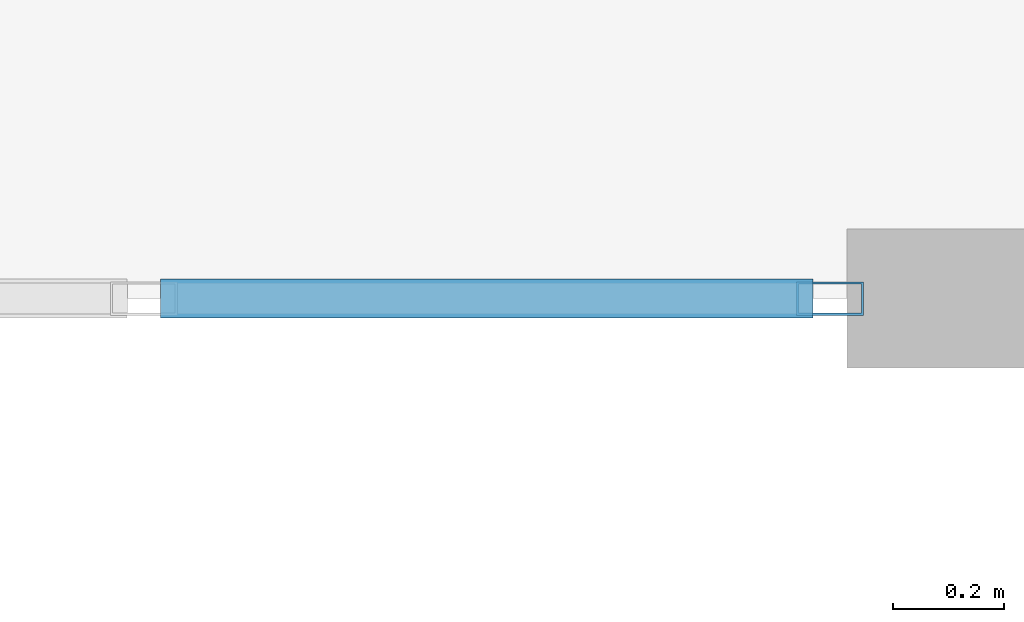
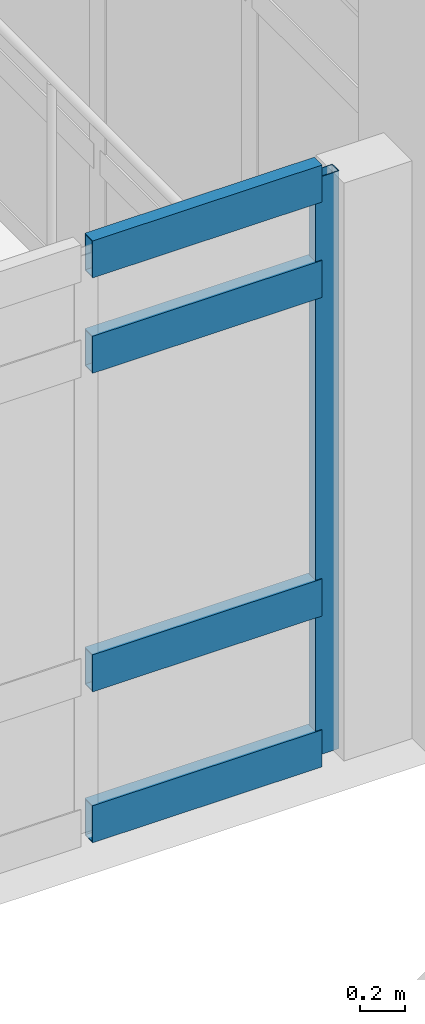
# One storey, part 3 of 37: 5 members, 1 element without a shape of its own.
"""IFC4 building model written with IfcOpenShell, lengths in metres."""

from ifc_helpers import new_model, si_unit, direction, frame, origin, origin_2d, place, context, subcontext, project, spatial, hollow_rectangle, extrude, material, layer, layer_set, material_profile, profile_set, type_object, element, aggregate, save


model = new_model("IFC4")

# Units and contexts
model_context = context("Model", 3, precision=1e-05, world=origin(), true_north=direction((0.0, 1.0)))
body_context = subcontext(model_context, "Body", "Model", "MODEL_VIEW")
ifc_project = project(units=[si_unit("LENGTHUNIT", "METRE"), si_unit("AREAUNIT", "SQUARE_METRE"), si_unit("VOLUMEUNIT", "CUBIC_METRE"), si_unit("PLANEANGLEUNIT", "RADIAN"), si_unit("MASSUNIT", "GRAM", prefix="KILO")], contexts=[model_context])

# Site, building, storey
site_placement = place(None, origin())
site = spatial("IfcSite", under=ifc_project, at=site_placement, CompositionType="ELEMENT")
building_placement = place(site_placement, origin())
building = spatial("IfcBuilding", under=site, at=building_placement, Name="Fikremerkos Civic Library", CompositionType="ELEMENT")
storey_placement = place(building_placement, frame((0.0, 0.0, 23.39990234375)))
storey = spatial("IfcBuildingStorey", under=building, at=storey_placement, Name="L05", CompositionType="ELEMENT", Elevation=23.39990234375)

# Curtain wall, members
ifc_material = material(Name="Anodized aluminium Frame", Category="aluminium")
ifc_layer = layer(ifc_material, 0.159912109375, Name="Anodized aluminium Frame")
ifc_layer_set = layer_set([ifc_layer], Name="Anodized aluminium Frame")
curtain_wall_type = type_object("IfcCurtainWallType", Name="Unitised curtain wall CW-16 3100x4100", PredefinedType="USERDEFINED", material=ifc_layer_set)
curtain_wall_placement = place(storey_placement, origin())
curtain_wall = element("IfcCurtainWall", 1, at=curtain_wall_placement, inside=storey, type_object=curtain_wall_type, Name="Unitised curtain wall CW-16 L05 #250", ObjectType="UNITISED CURTAIN WALL", PredefinedType="USERDEFINED")
ifc_material_profile_1 = material_profile(ifc_material, hollow_rectangle(XDim=0.06005859375, YDim=0.1201171875, WallThickness=0.00390625, at=origin_2d()), Name="ALU 120x60x4")
ifc_profile_set_1 = profile_set([ifc_material_profile_1], Name="Anodized aluminium Frame")
member_type_1 = type_object("IfcMemberType", Name="Curtain mullion CWM-04 ALU 120x60x4", PredefinedType="MULLION", material=ifc_profile_set_1)
member_1_placement = place(storey_placement, frame((31.8720703125, 12.0, 0.0), z_axis=(0.0, 0.0, 1.0), x_axis=(0.0, -1.0, 0.0)))
member_1 = element("IfcMember", 2, at=member_1_placement, type_object=member_type_1, Name="CW-16 mullion 1", PredefinedType="MULLION", context=body_context, shape_type="SweptSolid", body=[
    extrude(hollow_rectangle(XDim=0.06005859375, YDim=0.1201171875, WallThickness=0.00390625, at=origin_2d()), origin(), (0.0, 0.0, 1.0), 3.1201171875),
])
ifc_material_profile_2 = material_profile(ifc_material, hollow_rectangle(XDim=0.070068359375, YDim=0.199951171875, WallThickness=0.0048828125, at=origin_2d()), Name="ALU 200x70x5")
ifc_profile_set_2 = profile_set([ifc_material_profile_2], Name="Anodized aluminium Frame")
member_type_2 = type_object("IfcMemberType", Name="Curtain transom CWT-04 ALU 200x70x5", PredefinedType="USERDEFINED", material=ifc_profile_set_2)
member_2_placement = place(storey_placement, frame((31.842041015625, 12.0, 0.03515625), z_axis=(-1.0, 0.0, 0.0), x_axis=(0.0, -1.0, 0.0)))
member_2 = element("IfcMember", 3, at=member_2_placement, type_object=member_type_2, Name="CW-16 transom 1.1", ObjectType="TRANSOM", PredefinedType="USERDEFINED", context=body_context, shape_type="SweptSolid", body=[
    extrude(hollow_rectangle(XDim=0.070068359375, YDim=0.199951171875, WallThickness=0.0048828125, at=origin_2d()), origin(), (0.0, 0.0, 1.0), 1.171630859375),
])
member_3_placement = place(storey_placement, frame((31.842041015625, 12.0, 0.85009765625), z_axis=(-1.0, 0.0, 0.0), x_axis=(0.0, -1.0, 0.0)))
member_3 = element("IfcMember", 4, at=member_3_placement, type_object=member_type_2, Name="CW-16 transom 1.2", ObjectType="TRANSOM", PredefinedType="USERDEFINED", context=body_context, shape_type="SweptSolid", body=[
    extrude(hollow_rectangle(XDim=0.070068359375, YDim=0.199951171875, WallThickness=0.0048828125, at=origin_2d()), origin(), (0.0, 0.0, 1.0), 1.171630859375),
])
member_4_placement = place(storey_placement, frame((31.842041015625, 12.0, 2.570068359375), z_axis=(-1.0, 0.0, 0.0), x_axis=(0.0, -1.0, 0.0)))
member_4 = element("IfcMember", 5, at=member_4_placement, type_object=member_type_2, Name="CW-16 transom 1.3", ObjectType="TRANSOM", PredefinedType="USERDEFINED", context=body_context, shape_type="SweptSolid", body=[
    extrude(hollow_rectangle(XDim=0.070068359375, YDim=0.199951171875, WallThickness=0.0048828125, at=origin_2d()), origin(), (0.0, 0.0, 1.0), 1.171630859375),
])
member_5_placement = place(storey_placement, frame((31.842041015625, 12.0, 3.085205078125), z_axis=(-1.0, 0.0, 0.0), x_axis=(0.0, -1.0, 0.0)))
member_5 = element("IfcMember", 6, at=member_5_placement, type_object=member_type_2, Name="CW-16 transom 1.4", ObjectType="TRANSOM", PredefinedType="USERDEFINED", context=body_context, shape_type="SweptSolid", body=[
    extrude(hollow_rectangle(XDim=0.070068359375, YDim=0.199951171875, WallThickness=0.0048828125, at=origin_2d()), origin(), (0.0, 0.0, 1.0), 1.171630859375),
])
aggregate(curtain_wall, [member_1, member_2, member_3, member_4, member_5])

save(model, "model.ifc")
